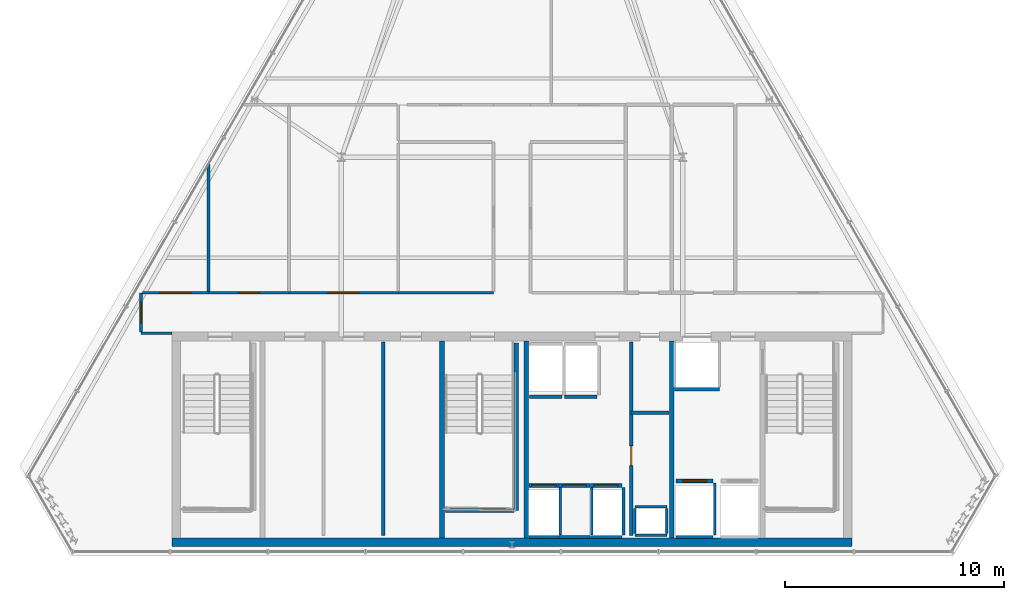
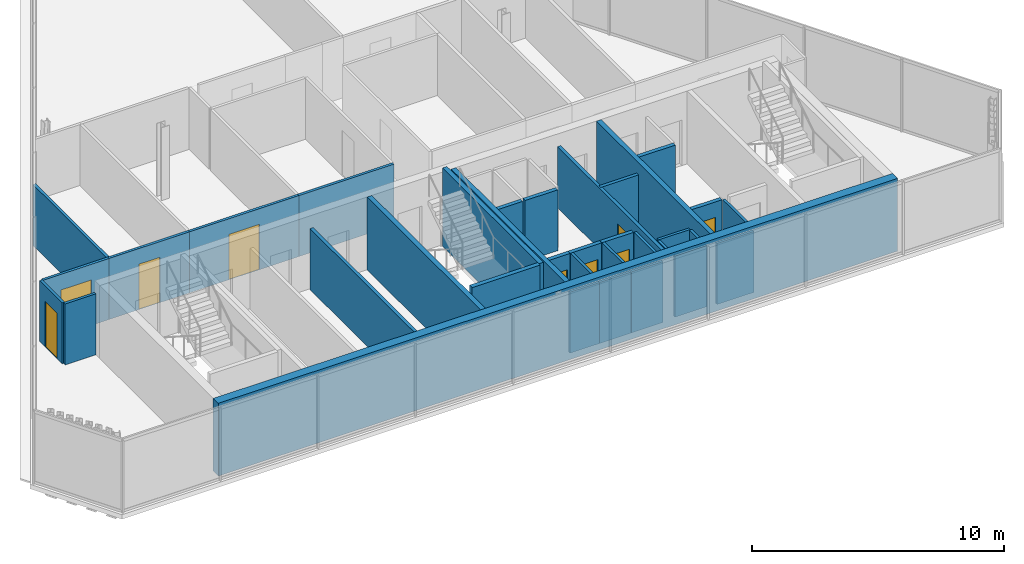
# One storey, part 27 of 32: 35 walls, 9 doors, 9 openings.
"""IFC4 building model written with IfcOpenShell, lengths in metres."""

from ifc_helpers import new_model, si_unit, direction, frame, frame_2d, origin, place, context, subcontext, project, spatial, rectangle, extrude, material, layer, layer_set, type_object, element, fill, save


model = new_model("IFC4")

# Units and contexts
model_context = context("Model", 3, precision=1e-05, world=origin(), true_north=direction((0.0, 1.0)))
body_context = subcontext(model_context, "Body", "Model", "MODEL_VIEW")
ifc_project = project(units=[si_unit("LENGTHUNIT", "METRE"), si_unit("AREAUNIT", "SQUARE_METRE"), si_unit("VOLUMEUNIT", "CUBIC_METRE"), si_unit("PLANEANGLEUNIT", "RADIAN"), si_unit("MASSUNIT", "GRAM", prefix="KILO")], contexts=[model_context])

# Site, building, storey
site_placement = place(None, origin())
site = spatial("IfcSite", under=ifc_project, at=site_placement, CompositionType="ELEMENT")
building_placement = place(site_placement, origin())
building = spatial("IfcBuilding", under=site, at=building_placement, Name="Ndaravel Arena Tower", CompositionType="ELEMENT")
storey_placement = place(building_placement, frame((0.0, 0.0, 294.699951171875)))
storey = spatial("IfcBuildingStorey", under=building, at=storey_placement, Name="L72", CompositionType="ELEMENT", Elevation=294.699951171875)

# Wall, opening, door
ifc_material_1 = material(Name="Gypsum", Category="gypsum")
ifc_layer_1 = layer(ifc_material_1, 0.14990234375)
ifc_layer_set_1 = layer_set([ifc_layer_1], Name="Gypsum")
wall_type_1 = type_object("IfcWallType", Name="WALL-COMP-150", PredefinedType="PARTITIONING", material=ifc_layer_set_1)
wall_1_placement = place(storey_placement, frame((47.449951171875, 5.89990234375, 0.0), z_axis=(0.0, 0.0, 1.0), x_axis=(0.0, 1.0, 0.0)))
wall_1 = element("IfcWall", 1, at=wall_1_placement, inside=storey, type_object=wall_type_1, Name="L72 Core Riser Bay Partition", PredefinedType="PARTITIONING", context=body_context, shape_type="SweptSolid", body=[
    extrude(rectangle(XDim=8.85009765625, YDim=0.14990234375, at=frame_2d((4.425048828125, 0.0))), origin(), (0.0, 0.0, 1.0), 2.950439453125),
])
opening_1_placement = place(wall_1_placement, frame((3.199951171875, 0.0, 0.0)))
opening_1 = element("IfcOpeningElement", 2, at=opening_1_placement, cuts=wall_1, Name="Opening RD-01", PredefinedType="OPENING", context=body_context, shape_type="SweptSolid", body=[
    extrude(rectangle(XDim=0.89990234375, YDim=2.10009765625, at=frame_2d((0.449951171875, 1.050048828125))), frame((0.0, 0.074951171875, 0.0), z_axis=(0.0, -1.0, 0.0), x_axis=(1.0, 0.0, 0.0)), (0.0, 0.0, 1.0), 0.14990234375),
])
ifc_material_2 = material(Name="Steel S355", Category="steel")
door_type_1 = type_object("IfcDoorType", Name="DT-08-RISER-900", OperationType="SINGLE_SWING_LEFT", PredefinedType="DOOR", material=ifc_material_2)
door_1_placement = place(opening_1_placement, origin())
door_1 = element("IfcDoor", 3, at=door_1_placement, inside=storey, type_object=door_type_1, Name="L72 Sub-Metering Closet Door", OperationType="SINGLE_SWING_LEFT", OverallHeight=2.10009765625, OverallWidth=0.89990234375, PredefinedType="DOOR", context=body_context, shape_type="SweptSolid", body=[
    extrude(rectangle(XDim=0.89990234375, YDim=2.10009765625, at=frame_2d((0.449951171875, 1.050048828125))), frame((0.0, 0.02490234375, 0.0), z_axis=(0.0, -1.0, 0.0), x_axis=(1.0, 0.0, 0.0)), (0.0, 0.0, 1.0), 0.050048828125),
])
fill(opening_1, door_1)

# Walls
wall_2_placement = place(storey_placement, frame((47.449951171875, 11.52001953125, 0.0), z_axis=(0.0, 0.0, 1.0), x_axis=(1.0, 0.0, 0.0)))
element("IfcWall", 4, at=wall_2_placement, inside=storey, type_object=wall_type_1, Name="L72 Core Riser Divider 1", PredefinedType="PARTITIONING", context=body_context, shape_type="SweptSolid", body=[
    extrude(rectangle(XDim=1.72998046875, YDim=0.14990234375, at=frame_2d((0.864990234375, 0.0))), origin(), (0.0, 0.0, 1.0), 2.950439453125),
])
wall_3_placement = place(storey_placement, frame((36.1201171875, 5.89990234375, 0.0), z_axis=(0.0, 0.0, 1.0), x_axis=(0.0, 1.0, 0.0)))
element("IfcWall", 5, at=wall_3_placement, inside=storey, type_object=wall_type_1, Name="L72 High-Zone Core Divider 2", PredefinedType="PARTITIONING", context=body_context, shape_type="SweptSolid", body=[
    extrude(rectangle(XDim=8.85009765625, YDim=0.14990234375, at=frame_2d((4.425048828125, 0.0))), origin(), (0.0, 0.0, 1.0), 2.950439453125),
])
ifc_material_3 = material(Name="Concrete C50/60", Category="concrete")
ifc_layer_2 = layer(ifc_material_3, 0.219970703125)
ifc_layer_set_2 = layer_set([ifc_layer_2], Name="Concrete C50/60")
wall_type_2 = type_object("IfcWallType", Name="WALL-CORE-220", PredefinedType="SOLIDWALL", material=ifc_layer_set_2)
for number, where, z_axis, x_axis, name in (
    (6, (38.800048828125, 5.800048828125, 0.0), (0.0, 0.0, 1.0), (0.0, 1.0, 0.0), "L72 Core Web Shear Wall 2"),
    (7, (42.64990234375, 5.800048828125, 0.0), (0.0, 0.0, 1.0), (0.0, 1.0, 0.0), "L72 Core Web Shear Wall 3"),
    (8, (49.300048828125, 5.800048828125, 0.0), (0.0, 0.0, 1.0), (0.0, 1.0, 0.0), "L72 Core Web Shear Wall 4"),
):
    element("IfcWall", number, at=place(storey_placement, frame(where, z_axis=z_axis, x_axis=x_axis)), inside=storey, type_object=wall_type_2, Name=name, PredefinedType="SOLIDWALL", context=body_context, shape_type="SweptSolid", body=[
        extrude(rectangle(XDim=9.0, YDim=0.219970703125, at=frame_2d((4.5, 0.0))), origin(), (0.0, 0.0, 1.0), 3.52001953125),
    ])
ifc_material_4 = material(Name="Concrete C50/60", Category="concrete")
ifc_layer_3 = layer(ifc_material_4, 0.39990234375)
ifc_layer_set_3 = layer_set([ifc_layer_3], Name="Concrete C50/60")
wall_type_3 = type_object("IfcWallType", Name="WALL-CORE-400", PredefinedType="SOLIDWALL", material=ifc_layer_set_3)
wall_4_placement = place(storey_placement, frame((26.449951171875, 5.60009765625, 0.0), z_axis=(0.0, 0.0, 1.0), x_axis=(1.0, 0.0, 0.0)))
element("IfcWall", 9, at=wall_4_placement, inside=storey, type_object=wall_type_3, Name="L72 Core South Shear Wall", PredefinedType="SOLIDWALL", context=body_context, shape_type="SweptSolid", body=[
    extrude(rectangle(XDim=31.10009765625, YDim=0.39990234375, at=frame_2d((15.550048828125, 0.0))), origin(), (0.0, 0.0, 1.0), 3.52001953125),
])
ifc_material_5 = material(Name="Gypsum", Category="gypsum")
ifc_layer_4 = layer(ifc_material_5, 0.125)
ifc_layer_set_4 = layer_set([ifc_layer_4], Name="Gypsum")
wall_type_4 = type_object("IfcWallType", Name="WALL-PART-125", PredefinedType="PARTITIONING", material=ifc_layer_set_4)
wall_5_placement = place(storey_placement, frame((26.449951171875, 15.14990234375, 0.0), z_axis=(0.0, 0.0, 1.0), x_axis=(-1.0, 0.0, 0.0)))
element("IfcWall", 10, at=wall_5_placement, inside=storey, type_object=wall_type_4, Name="L72 Interior Partition 003", PredefinedType="PARTITIONING", context=body_context, shape_type="SweptSolid", body=[
    extrude(rectangle(XDim=1.4150390625, YDim=0.125, at=frame_2d((0.70751953125, 0.0))), origin(), (0.0, 0.0, 1.0), 2.950439453125),
])

# Wall, opening, door
wall_6_placement = place(storey_placement, frame((25.034912109375, 15.215087890625, 0.0), z_axis=(0.0, 0.0, 1.0), x_axis=(0.0, 1.0, 0.0)))
wall_6 = element("IfcWall", 11, at=wall_6_placement, inside=storey, type_object=wall_type_4, Name="L72 Interior Partition 004", PredefinedType="PARTITIONING", context=body_context, shape_type="SweptSolid", body=[
    extrude(rectangle(XDim=1.784912109375, YDim=0.125, at=frame_2d((0.892578125, 0.0))), origin(), (0.0, 0.0, 1.0), 2.950439453125),
])
opening_2_placement = place(wall_6_placement, frame((0.41748046875, 0.0, 0.0)))
opening_2 = element("IfcOpeningElement", 12, at=opening_2_placement, cuts=wall_6, Name="Opening ID-01", PredefinedType="OPENING", context=body_context, shape_type="SweptSolid", body=[
    extrude(rectangle(XDim=0.949951171875, YDim=2.199951171875, at=frame_2d((0.47509765625, 1.10009765625))), frame((0.0, 0.0625, 0.0), z_axis=(0.0, -1.0, 0.0), x_axis=(1.0, 0.0, 0.0)), (0.0, 0.0, 1.0), 0.125),
])
ifc_material_6 = material(Name="Timber", Category="wood")
door_type_2 = type_object("IfcDoorType", Name="DT-03-OFFICE-950", OperationType="SINGLE_SWING_LEFT", PredefinedType="DOOR", material=ifc_material_6)
door_2_placement = place(opening_2_placement, origin())
door_2 = element("IfcDoor", 13, at=door_2_placement, inside=storey, type_object=door_type_2, Name="L72 Quiet Reading Library Door", OperationType="SINGLE_SWING_LEFT", OverallHeight=2.199951171875, OverallWidth=0.949951171875, PredefinedType="DOOR", context=body_context, shape_type="SweptSolid", body=[
    extrude(rectangle(XDim=0.949951171875, YDim=2.199951171875, at=frame_2d((0.47509765625, 1.10009765625))), frame((0.0, 0.02490234375, 0.0), z_axis=(0.0, -1.0, 0.0), x_axis=(1.0, 0.0, 0.0)), (0.0, 0.0, 1.0), 0.050048828125),
])
fill(opening_2, door_2)

wall_7_placement = place(storey_placement, frame((25.10009765625, 17.0, 0.0), z_axis=(0.0, 0.0, 1.0), x_axis=(1.0, 0.0, 0.0)))
wall_7 = element("IfcWall", 14, at=wall_7_placement, inside=storey, type_object=wall_type_4, Name="L72 Interior Partition 005", PredefinedType="PARTITIONING", context=body_context, shape_type="SweptSolid", body=[
    extrude(rectangle(XDim=3.020751953125, YDim=0.125, at=frame_2d((1.51025390625, 0.0))), origin(), (0.0, 0.0, 1.0), 2.950439453125),
])
opening_3_placement = place(wall_7_placement, frame((0.810302734375, 0.0, 0.0)))
opening_3 = element("IfcOpeningElement", 15, at=opening_3_placement, cuts=wall_7, Name="Opening ID-02", PredefinedType="OPENING", context=body_context, shape_type="SweptSolid", body=[
    extrude(rectangle(XDim=1.39990234375, YDim=2.199951171875, at=frame_2d((0.699951171875, 1.10009765625))), frame((0.0, 0.0625, 0.0), z_axis=(0.0, -1.0, 0.0), x_axis=(1.0, 0.0, 0.0)), (0.0, 0.0, 1.0), 0.125),
])
ifc_material_7 = material(Name="Timber", Category="wood")
door_type_3 = type_object("IfcDoorType", Name="DT-04-SUITE-1400", OperationType="DOUBLE_DOOR_SINGLE_SWING", PredefinedType="DOOR", material=ifc_material_7)
door_3_placement = place(opening_3_placement, origin())
door_3 = element("IfcDoor", 16, at=door_3_placement, inside=storey, type_object=door_type_3, Name="L72 Collaborative Lounge Door", OperationType="SINGLE_SWING_LEFT", OverallHeight=2.199951171875, OverallWidth=1.39990234375, PredefinedType="DOOR", context=body_context, shape_type="SweptSolid", body=[
    extrude(rectangle(XDim=1.39990234375, YDim=2.199951171875, at=frame_2d((0.699951171875, 1.10009765625))), frame((0.0, 0.02490234375, 0.0), z_axis=(0.0, -1.0, 0.0), x_axis=(1.0, 0.0, 0.0)), (0.0, 0.0, 1.0), 0.050048828125),
])
fill(opening_3, door_3)

wall_8_placement = place(storey_placement, frame((28.120849609375, 17.0, 0.0), z_axis=(0.0, 0.0, 1.0), x_axis=(1.0, 0.0, 0.0)))
wall_8 = element("IfcWall", 17, at=wall_8_placement, inside=storey, type_object=wall_type_4, Name="L72 Interior Partition 006", PredefinedType="PARTITIONING", context=body_context, shape_type="SweptSolid", body=[
    extrude(rectangle(XDim=3.67919921875, YDim=0.125, at=frame_2d((1.839599609375, 0.0))), origin(), (0.0, 0.0, 1.0), 2.950439453125),
])
opening_4_placement = place(wall_8_placement, frame((1.364501953125, 0.0, 0.0)))
opening_4 = element("IfcOpeningElement", 18, at=opening_4_placement, cuts=wall_8, Name="Opening ID-01", PredefinedType="OPENING", context=body_context, shape_type="SweptSolid", body=[
    extrude(rectangle(XDim=0.949951171875, YDim=2.199951171875, at=frame_2d((0.47509765625, 1.10009765625))), frame((0.0, 0.0625, 0.0), z_axis=(0.0, -1.0, 0.0), x_axis=(1.0, 0.0, 0.0)), (0.0, 0.0, 1.0), 0.125),
])
door_4_placement = place(opening_4_placement, origin())
door_4 = element("IfcDoor", 19, at=door_4_placement, inside=storey, type_object=door_type_2, Name="L72 Concierge Arrival Salon 2 Door", OperationType="SINGLE_SWING_LEFT", OverallHeight=2.199951171875, OverallWidth=0.949951171875, PredefinedType="DOOR", context=body_context, shape_type="SweptSolid", body=[
    extrude(rectangle(XDim=0.949951171875, YDim=2.199951171875, at=frame_2d((0.47509765625, 1.10009765625))), frame((0.0, 0.02490234375, 0.0), z_axis=(0.0, -1.0, 0.0), x_axis=(1.0, 0.0, 0.0)), (0.0, 0.0, 1.0), 0.050048828125),
])
fill(opening_4, door_4)

wall_9_placement = place(storey_placement, frame((31.800048828125, 17.0, 0.0), z_axis=(0.0, 0.0, 1.0), x_axis=(1.0, 0.0, 0.0)))
wall_9 = element("IfcWall", 20, at=wall_9_placement, inside=storey, type_object=wall_type_4, Name="L72 Interior Partition 007", PredefinedType="PARTITIONING", context=body_context, shape_type="SweptSolid", body=[
    extrude(rectangle(XDim=5.0, YDim=0.125, at=frame_2d((2.5, 0.0))), origin(), (0.0, 0.0, 1.0), 2.950439453125),
])
opening_5_placement = place(wall_9_placement, frame((1.800048828125, 0.0, 0.0)))
opening_5 = element("IfcOpeningElement", 21, at=opening_5_placement, cuts=wall_9, Name="Opening ID-02", PredefinedType="OPENING", context=body_context, shape_type="SweptSolid", body=[
    extrude(rectangle(XDim=1.39990234375, YDim=2.199951171875, at=frame_2d((0.699951171875, 1.10009765625))), frame((0.0, 0.0625, 0.0), z_axis=(0.0, -1.0, 0.0), x_axis=(1.0, 0.0, 0.0)), (0.0, 0.0, 1.0), 0.125),
])
door_5_placement = place(opening_5_placement, origin())
door_5 = element("IfcDoor", 22, at=door_5_placement, inside=storey, type_object=door_type_3, Name="L72 Tenant Reception Suite 3 Door", OperationType="SINGLE_SWING_RIGHT", OverallHeight=2.199951171875, OverallWidth=1.39990234375, PredefinedType="DOOR", context=body_context, shape_type="SweptSolid", body=[
    extrude(rectangle(XDim=1.39990234375, YDim=2.199951171875, at=frame_2d((0.699951171875, 1.10009765625))), frame((0.0, 0.02490234375, 0.0), z_axis=(0.0, -1.0, 0.0), x_axis=(1.0, 0.0, 0.0)), (0.0, 0.0, 1.0), 0.050048828125),
])
fill(opening_5, door_5)

# Walls
wall_10_placement = place(storey_placement, frame((36.800048828125, 17.0, 0.0), z_axis=(0.0, 0.0, 1.0), x_axis=(1.0, 0.0, 0.0)))
element("IfcWall", 23, at=wall_10_placement, inside=storey, type_object=wall_type_4, Name="L72 Interior Partition 008", PredefinedType="PARTITIONING", context=body_context, shape_type="SweptSolid", body=[
    extrude(rectangle(XDim=4.349853515625, YDim=0.125, at=frame_2d((2.1748046875, 0.0))), origin(), (0.0, 0.0, 1.0), 2.950439453125),
])
wall_11_placement = place(storey_placement, frame((28.120849609375, 22.882080078125, 0.0), z_axis=(0.0, 0.0, 1.0), x_axis=(0.0, -1.0, 0.0)))
element("IfcWall", 24, at=wall_11_placement, inside=storey, type_object=wall_type_4, Name="L72 Interior Partition 023", PredefinedType="PARTITIONING", context=body_context, shape_type="SweptSolid", body=[
    extrude(rectangle(XDim=5.817138671875, YDim=0.125, at=frame_2d((2.90869140625, 0.0))), origin(), (0.0, 0.0, 1.0), 2.950439453125),
])
ifc_material_8 = material(Name="Concrete C40/50", Category="concrete")
ifc_layer_5 = layer(ifc_material_8, 0.1201171875)
ifc_layer_set_5 = layer_set([ifc_layer_5], Name="Concrete C40/50")
wall_type_5 = type_object("IfcWallType", Name="WALL-SHAFT-120", PredefinedType="SOLIDWALL", material=ifc_layer_set_5)
for number, where, z_axis, x_axis, name in (
    (25, (47.6201171875, 5.919921875, 0.0), (0.0, 0.0, 1.0), (1.0, 0.0, 0.0), "L72 MEP Riser Shaft S Wall"),
    (26, (47.6201171875, 7.219970703125, 0.0), (0.0, 0.0, 1.0), (1.0, 0.0, 0.0), "L72 MEP Riser Shaft N Wall"),
):
    element("IfcWall", number, at=place(storey_placement, frame(where, z_axis=z_axis, x_axis=x_axis)), inside=storey, type_object=wall_type_5, Name=name, PredefinedType="SOLIDWALL", context=body_context, shape_type="SweptSolid", body=[
        extrude(rectangle(XDim=1.4599609375, YDim=0.1201171875, at=frame_2d((0.72998046875, 0.0))), origin(), (0.0, 0.0, 1.0), 2.950439453125),
    ])
for number, where, z_axis, x_axis, name in (
    (27, (47.6201171875, 6.0, 0.0), (0.0, 0.0, 1.0), (0.0, 1.0, 0.0), "L72 MEP Riser Shaft W Wall"),
    (28, (49.080078125, 6.0, 0.0), (0.0, 0.0, 1.0), (0.0, 1.0, 0.0), "L72 MEP Riser Shaft E Wall"),
):
    element("IfcWall", number, at=place(storey_placement, frame(where, z_axis=z_axis, x_axis=x_axis)), inside=storey, type_object=wall_type_5, Name=name, PredefinedType="SOLIDWALL", context=body_context, shape_type="SweptSolid", body=[
        extrude(rectangle(XDim=1.139892578125, YDim=0.1201171875, at=frame_2d((0.56982421875, 0.0))), origin(), (0.0, 0.0, 1.0), 2.950439453125),
    ])
wall_12_placement = place(storey_placement, frame((42.780029296875, 5.840087890625, 0.0), z_axis=(0.0, 0.0, 1.0), x_axis=(1.0, 0.0, 0.0)))
element("IfcWall", 29, at=wall_12_placement, inside=storey, type_object=wall_type_5, Name="L72 PL-H1 Shaft Rear Wall", PredefinedType="SOLIDWALL", context=body_context, shape_type="SweptSolid", body=[
    extrude(rectangle(XDim=1.340087890625, YDim=0.1201171875, at=frame_2d((0.669921875, 0.0))), origin(), (0.0, 0.0, 1.0), 2.950439453125),
])
wall_13_placement = place(storey_placement, frame((44.199951171875, 5.929931640625, 0.0), z_axis=(0.0, 0.0, 1.0), x_axis=(0.0, 1.0, 0.0)))
element("IfcWall", 30, at=wall_13_placement, inside=storey, type_object=wall_type_5, Name="L72 PL-H1 Shaft Side R Wall", PredefinedType="SOLIDWALL", context=body_context, shape_type="SweptSolid", body=[
    extrude(rectangle(XDim=2.18017578125, YDim=0.1201171875, at=frame_2d((1.090087890625, 0.0))), origin(), (0.0, 0.0, 1.0), 2.950439453125),
])
wall_14_placement = place(storey_placement, frame((44.1298828125, 5.840087890625, 0.0), z_axis=(0.0, 0.0, 1.0), x_axis=(1.0, 0.0, 0.0)))
element("IfcWall", 31, at=wall_14_placement, inside=storey, type_object=wall_type_5, Name="L72 PL-H2 Shaft Rear Wall", PredefinedType="SOLIDWALL", context=body_context, shape_type="SweptSolid", body=[
    extrude(rectangle(XDim=1.440185546875, YDim=0.1201171875, at=frame_2d((0.72021484375, 0.0))), origin(), (0.0, 0.0, 1.0), 2.950439453125),
])
wall_15_placement = place(storey_placement, frame((45.64990234375, 5.929931640625, 0.0), z_axis=(0.0, 0.0, 1.0), x_axis=(0.0, 1.0, 0.0)))
element("IfcWall", 32, at=wall_15_placement, inside=storey, type_object=wall_type_5, Name="L72 PL-H2 Shaft Side R Wall", PredefinedType="SOLIDWALL", context=body_context, shape_type="SweptSolid", body=[
    extrude(rectangle(XDim=2.18017578125, YDim=0.1201171875, at=frame_2d((1.090087890625, 0.0))), origin(), (0.0, 0.0, 1.0), 2.950439453125),
])
wall_16_placement = place(storey_placement, frame((45.580078125, 5.840087890625, 0.0), z_axis=(0.0, 0.0, 1.0), x_axis=(1.0, 0.0, 0.0)))
element("IfcWall", 33, at=wall_16_placement, inside=storey, type_object=wall_type_5, Name="L72 PL-H3 Shaft Rear Wall", PredefinedType="SOLIDWALL", context=body_context, shape_type="SweptSolid", body=[
    extrude(rectangle(XDim=1.43994140625, YDim=0.1201171875, at=frame_2d((0.719970703125, 0.0))), origin(), (0.0, 0.0, 1.0), 2.950439453125),
])
wall_17_placement = place(storey_placement, frame((47.10009765625, 5.929931640625, 0.0), z_axis=(0.0, 0.0, 1.0), x_axis=(0.0, 1.0, 0.0)))
element("IfcWall", 34, at=wall_17_placement, inside=storey, type_object=wall_type_5, Name="L72 PL-H3 Shaft Side R Wall", PredefinedType="SOLIDWALL", context=body_context, shape_type="SweptSolid", body=[
    extrude(rectangle(XDim=2.18017578125, YDim=0.1201171875, at=frame_2d((1.090087890625, 0.0))), origin(), (0.0, 0.0, 1.0), 2.950439453125),
])
wall_18_placement = place(storey_placement, frame((49.5048828125, 5.840087890625, 0.0), z_axis=(0.0, 0.0, 1.0), x_axis=(1.0, 0.0, 0.0)))
element("IfcWall", 35, at=wall_18_placement, inside=storey, type_object=wall_type_5, Name="L72 FFL-1 Shaft Rear Wall", PredefinedType="SOLIDWALL", context=body_context, shape_type="SweptSolid", body=[
    extrude(rectangle(XDim=1.690185546875, YDim=0.1201171875, at=frame_2d((0.84521484375, 0.0))), origin(), (0.0, 0.0, 1.0), 2.950439453125),
])
wall_19_placement = place(storey_placement, frame((51.27490234375, 5.929931640625, 0.0), z_axis=(0.0, 0.0, 1.0), x_axis=(0.0, 1.0, 0.0)))
element("IfcWall", 36, at=wall_19_placement, inside=storey, type_object=wall_type_5, Name="L72 FFL-1 Shaft Side R Wall", PredefinedType="SOLIDWALL", context=body_context, shape_type="SweptSolid", body=[
    extrude(rectangle(XDim=2.380126953125, YDim=0.1201171875, at=frame_2d((1.18994140625, 0.0))), origin(), (0.0, 0.0, 1.0), 2.950439453125),
])
ifc_material_9 = material(Name="Concrete C40/50", Category="concrete")
ifc_layer_6 = layer(ifc_material_9, 0.199951171875)
ifc_layer_set_6 = layer_set([ifc_layer_6], Name="Concrete C40/50")
wall_type_6 = type_object("IfcWallType", Name="WALL-SHAFT-200", PredefinedType="SOLIDWALL", material=ifc_layer_set_6)
wall_20_placement = place(storey_placement, frame((42.18994140625, 14.699951171875, 0.0), z_axis=(0.0, 0.0, 1.0), x_axis=(0.0, -1.0, 0.0)))
element("IfcWall", 37, at=wall_20_placement, inside=storey, type_object=wall_type_6, Name="L72 ST-2 Structural Shaft Wall Right", PredefinedType="SOLIDWALL", context=body_context, shape_type="SweptSolid", body=[
    extrude(rectangle(XDim=7.64990234375, YDim=0.199951171875, at=frame_2d((3.824951171875, 0.0))), origin(), (0.0, 0.0, 1.0), 3.800048828125),
])
wall_21_placement = place(storey_placement, frame((38.969970703125, 7.050048828125, 0.0), z_axis=(0.0, 0.0, 1.0), x_axis=(1.0, 0.0, 0.0)))
element("IfcWall", 38, at=wall_21_placement, inside=storey, type_object=wall_type_6, Name="L72 ST-2 Structural Shaft Wall Far", PredefinedType="SOLIDWALL", context=body_context, shape_type="SweptSolid", body=[
    extrude(rectangle(XDim=3.114990234375, YDim=0.199951171875, at=frame_2d((1.5576171875, 0.0))), origin(), (0.0, 0.0, 1.0), 3.800048828125),
])

# Wall, opening, door
wall_22_placement = place(storey_placement, frame((42.780029296875, 8.199951171875, 0.0), z_axis=(0.0, 0.0, 1.0), x_axis=(1.0, 0.0, 0.0)))
wall_22 = element("IfcWall", 39, at=wall_22_placement, inside=storey, type_object=wall_type_6, Name="L72 PL-H1 Shaft Landing Wall", PredefinedType="SOLIDWALL", context=body_context, shape_type="SweptSolid", body=[
    extrude(rectangle(XDim=1.340087890625, YDim=0.179931640625, at=frame_2d((0.669921875, 0.0))), origin(), (0.0, 0.0, 1.0), 2.950439453125),
])
opening_6_placement = place(wall_22_placement, frame((0.1201171875, 0.0, 0.0)))
opening_6 = element("IfcOpeningElement", 40, at=opening_6_placement, cuts=wall_22, Name="Opening LD-01", PredefinedType="OPENING", context=body_context, shape_type="SweptSolid", body=[
    extrude(rectangle(XDim=1.10009765625, YDim=2.199951171875, at=frame_2d((0.550048828125, 1.10009765625))), frame((0.0, 0.08984375, 0.0), z_axis=(0.0, -1.0, 0.0), x_axis=(1.0, 0.0, 0.0)), (0.0, 0.0, 1.0), 0.179931640625),
])
ifc_material_10 = material(Name="Steel S355", Category="steel")
door_type_4 = type_object("IfcDoorType", Name="DT-06-LIFT-1100", OperationType="SLIDING_TO_LEFT", PredefinedType="DOOR", material=ifc_material_10)
door_6_placement = place(opening_6_placement, origin())
door_6 = element("IfcDoor", 41, at=door_6_placement, inside=storey, type_object=door_type_4, Name="L72 Lift PL-H1 Sliding Landing Door", OperationType="SLIDING_TO_LEFT", OverallHeight=2.199951171875, OverallWidth=1.10009765625, PredefinedType="DOOR", context=body_context, shape_type="SweptSolid", body=[
    extrude(rectangle(XDim=1.10009765625, YDim=2.199951171875, at=frame_2d((0.550048828125, 1.10009765625))), frame((0.0, 0.02490234375, 0.0), z_axis=(0.0, -1.0, 0.0), x_axis=(1.0, 0.0, 0.0)), (0.0, 0.0, 1.0), 0.050048828125),
])
fill(opening_6, door_6)

wall_23_placement = place(storey_placement, frame((44.1298828125, 8.199951171875, 0.0), z_axis=(0.0, 0.0, 1.0), x_axis=(1.0, 0.0, 0.0)))
wall_23 = element("IfcWall", 42, at=wall_23_placement, inside=storey, type_object=wall_type_6, Name="L72 PL-H2 Shaft Landing Wall", PredefinedType="SOLIDWALL", context=body_context, shape_type="SweptSolid", body=[
    extrude(rectangle(XDim=1.440185546875, YDim=0.179931640625, at=frame_2d((0.72021484375, 0.0))), origin(), (0.0, 0.0, 1.0), 2.950439453125),
])
opening_7_placement = place(wall_23_placement, frame((0.169921875, 0.0, 0.0)))
opening_7 = element("IfcOpeningElement", 43, at=opening_7_placement, cuts=wall_23, Name="Opening LD-01", PredefinedType="OPENING", context=body_context, shape_type="SweptSolid", body=[
    extrude(rectangle(XDim=1.10009765625, YDim=2.199951171875, at=frame_2d((0.550048828125, 1.10009765625))), frame((0.0, 0.08984375, 0.0), z_axis=(0.0, -1.0, 0.0), x_axis=(1.0, 0.0, 0.0)), (0.0, 0.0, 1.0), 0.179931640625),
])
door_7_placement = place(opening_7_placement, origin())
door_7 = element("IfcDoor", 44, at=door_7_placement, inside=storey, type_object=door_type_4, Name="L72 Lift PL-H2 Sliding Landing Door", OperationType="SLIDING_TO_LEFT", OverallHeight=2.199951171875, OverallWidth=1.10009765625, PredefinedType="DOOR", context=body_context, shape_type="SweptSolid", body=[
    extrude(rectangle(XDim=1.10009765625, YDim=2.199951171875, at=frame_2d((0.550048828125, 1.10009765625))), frame((0.0, 0.02490234375, 0.0), z_axis=(0.0, -1.0, 0.0), x_axis=(1.0, 0.0, 0.0)), (0.0, 0.0, 1.0), 0.050048828125),
])
fill(opening_7, door_7)

wall_24_placement = place(storey_placement, frame((45.580078125, 8.199951171875, 0.0), z_axis=(0.0, 0.0, 1.0), x_axis=(1.0, 0.0, 0.0)))
wall_24 = element("IfcWall", 45, at=wall_24_placement, inside=storey, type_object=wall_type_6, Name="L72 PL-H3 Shaft Landing Wall", PredefinedType="SOLIDWALL", context=body_context, shape_type="SweptSolid", body=[
    extrude(rectangle(XDim=1.43994140625, YDim=0.179931640625, at=frame_2d((0.719970703125, 0.0))), origin(), (0.0, 0.0, 1.0), 2.950439453125),
])
opening_8_placement = place(wall_24_placement, frame((0.169921875, 0.0, 0.0)))
opening_8 = element("IfcOpeningElement", 46, at=opening_8_placement, cuts=wall_24, Name="Opening LD-01", PredefinedType="OPENING", context=body_context, shape_type="SweptSolid", body=[
    extrude(rectangle(XDim=1.10009765625, YDim=2.199951171875, at=frame_2d((0.550048828125, 1.10009765625))), frame((0.0, 0.08984375, 0.0), z_axis=(0.0, -1.0, 0.0), x_axis=(1.0, 0.0, 0.0)), (0.0, 0.0, 1.0), 0.179931640625),
])
door_8_placement = place(opening_8_placement, origin())
door_8 = element("IfcDoor", 47, at=door_8_placement, inside=storey, type_object=door_type_4, Name="L72 Lift PL-H3 Sliding Landing Door", OperationType="SLIDING_TO_LEFT", OverallHeight=2.199951171875, OverallWidth=1.10009765625, PredefinedType="DOOR", context=body_context, shape_type="SweptSolid", body=[
    extrude(rectangle(XDim=1.10009765625, YDim=2.199951171875, at=frame_2d((0.550048828125, 1.10009765625))), frame((0.0, 0.02490234375, 0.0), z_axis=(0.0, -1.0, 0.0), x_axis=(1.0, 0.0, 0.0)), (0.0, 0.0, 1.0), 0.050048828125),
])
fill(opening_8, door_8)

# Walls
for number, where, z_axis, x_axis, name in (
    (48, (42.804931640625, 12.25, 0.0), (0.0, 0.0, 1.0), (1.0, 0.0, 0.0), "L72 PL-OBS1 Shaft Landing Wall"),
    (49, (44.405029296875, 12.25, 0.0), (0.0, 0.0, 1.0), (1.0, 0.0, 0.0), "L72 PL-OBS2 Shaft Landing Wall"),
):
    element("IfcWall", number, at=place(storey_placement, frame(where, z_axis=z_axis, x_axis=x_axis)), inside=storey, type_object=wall_type_6, Name=name, PredefinedType="SOLIDWALL", context=body_context, shape_type="SweptSolid", body=[
        extrude(rectangle(XDim=1.489990234375, YDim=0.179931640625, at=frame_2d((0.7451171875, 0.0))), origin(), (0.0, 0.0, 1.0), 2.950439453125),
    ])

# Wall, opening, door
wall_25_placement = place(storey_placement, frame((49.5048828125, 8.39990234375, 0.0), z_axis=(0.0, 0.0, 1.0), x_axis=(1.0, 0.0, 0.0)))
wall_25 = element("IfcWall", 50, at=wall_25_placement, inside=storey, type_object=wall_type_6, Name="L72 FFL-1 Shaft Landing Wall", PredefinedType="SOLIDWALL", context=body_context, shape_type="SweptSolid", body=[
    extrude(rectangle(XDim=1.690185546875, YDim=0.179931640625, at=frame_2d((0.84521484375, 0.0))), origin(), (0.0, 0.0, 1.0), 2.950439453125),
])
opening_9_placement = place(wall_25_placement, frame((0.294921875, 0.0, 0.0)))
opening_9 = element("IfcOpeningElement", 51, at=opening_9_placement, cuts=wall_25, Name="Opening LD-01", PredefinedType="OPENING", context=body_context, shape_type="SweptSolid", body=[
    extrude(rectangle(XDim=1.10009765625, YDim=2.199951171875, at=frame_2d((0.550048828125, 1.10009765625))), frame((0.0, 0.08984375, 0.0), z_axis=(0.0, -1.0, 0.0), x_axis=(1.0, 0.0, 0.0)), (0.0, 0.0, 1.0), 0.179931640625),
])
door_9_placement = place(opening_9_placement, origin())
door_9 = element("IfcDoor", 52, at=door_9_placement, inside=storey, type_object=door_type_4, Name="L72 Lift FFL-1 Sliding Landing Door", OperationType="SLIDING_TO_LEFT", OverallHeight=2.199951171875, OverallWidth=1.10009765625, PredefinedType="DOOR", context=body_context, shape_type="SweptSolid", body=[
    extrude(rectangle(XDim=1.10009765625, YDim=2.199951171875, at=frame_2d((0.550048828125, 1.10009765625))), frame((0.0, 0.02490234375, 0.0), z_axis=(0.0, -1.0, 0.0), x_axis=(1.0, 0.0, 0.0)), (0.0, 0.0, 1.0), 0.050048828125),
])
fill(opening_9, door_9)

# Wall
wall_26_placement = place(storey_placement, frame((49.43994140625, 12.594970703125, 0.0), z_axis=(0.0, 0.0, 1.0), x_axis=(1.0, 0.0, 0.0)))
element("IfcWall", 53, at=wall_26_placement, inside=storey, type_object=wall_type_6, Name="L72 SVL-1 Shaft South Wall", PredefinedType="SOLIDWALL", context=body_context, shape_type="SweptSolid", body=[
    extrude(rectangle(XDim=2.0400390625, YDim=0.179931640625, at=frame_2d((1.02001953125, 0.0))), origin(), (0.0, 0.0, 1.0), 2.950439453125),
])

save(model, "model.ifc")
